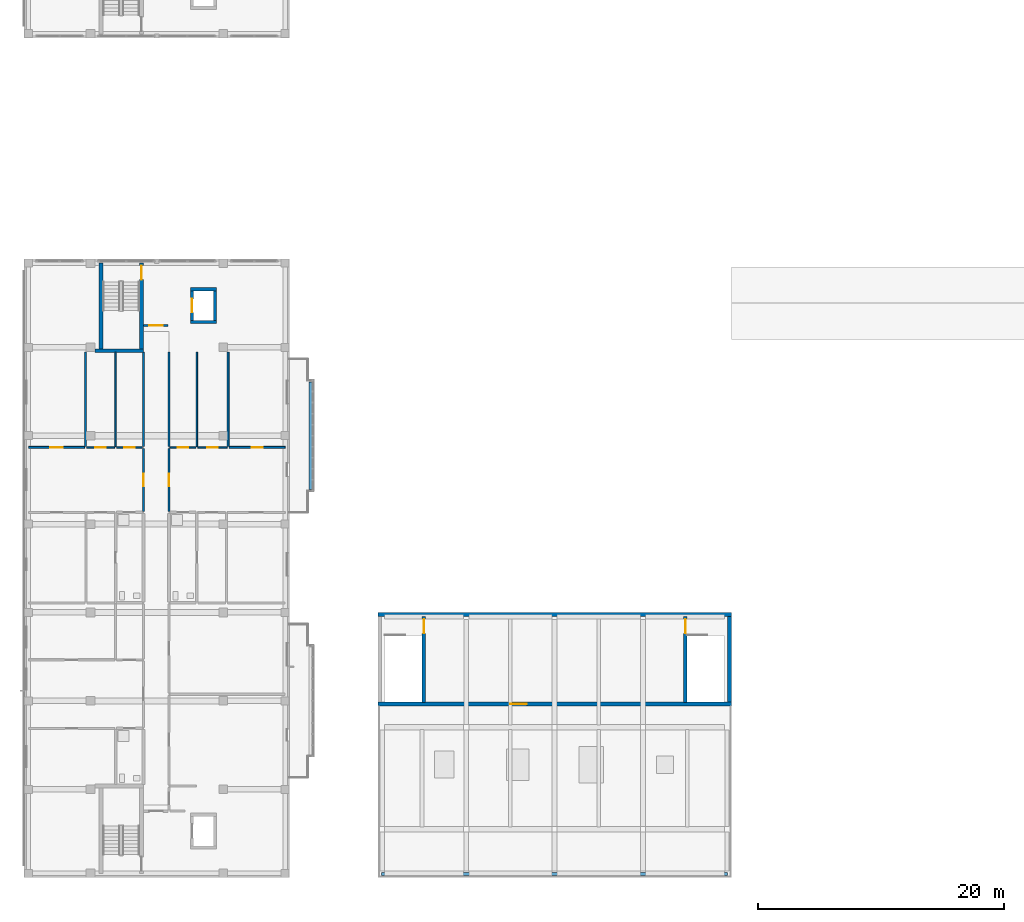
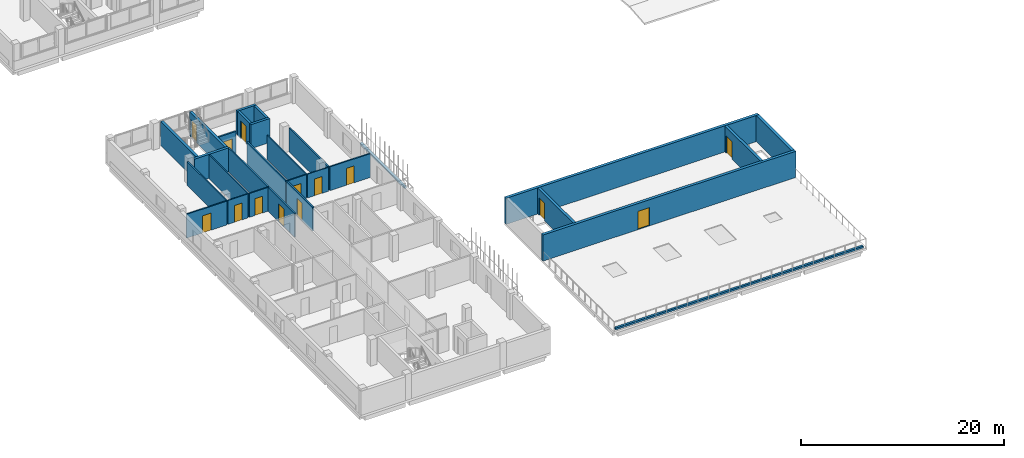
# One storey, part 27 of 56: 29 walls, 14 doors, 14 openings.
"""IFC4 building model written with IfcOpenShell, lengths in metres."""

from ifc_helpers import new_model, si_unit, derived_unit, direction, frame, frame_2d, origin, place, context, subcontext, project, spatial, rectangle, extrude, material, layer, layer_set, type_object, element, fill, save


model = new_model("IFC4")

# Units and contexts
model_context = context("Model", 3, precision=1e-05, world=origin(), true_north=direction((0.0, 1.0)))
body_context = subcontext(model_context, "Body", "Model", "MODEL_VIEW")
ifc_project = project(units=[si_unit("LENGTHUNIT", "METRE"), si_unit("AREAUNIT", "SQUARE_METRE"), si_unit("VOLUMEUNIT", "CUBIC_METRE"), si_unit("PLANEANGLEUNIT", "RADIAN"), si_unit("MASSUNIT", "GRAM", prefix="KILO"), derived_unit("THERMALTRANSMITTANCEUNIT", [(si_unit("MASSUNIT", "GRAM", prefix="KILO"), 1), (si_unit("TIMEUNIT", "SECOND"), -3), (si_unit("THERMODYNAMICTEMPERATUREUNIT", "KELVIN"), -1)])], contexts=[model_context])

# Site, building, storey
site_placement = place(None, origin())
site = spatial("IfcSite", under=ifc_project, at=site_placement, CompositionType="ELEMENT")
building_placement = place(site_placement, origin())
building = spatial("IfcBuilding", under=site, at=building_placement, Name="Ochrekiln Boulevard Commons", CompositionType="ELEMENT")
storey_placement = place(building_placement, frame((0.0, 0.0, 12.074951171875)))
storey = spatial("IfcBuildingStorey", under=building, at=storey_placement, Name="L03", CompositionType="ELEMENT", Elevation=12.074951171875)

# Wall, opening, door
ifc_material_1 = material(Name="Desert ochre clinker brick masonry ASTM C216 Grade SW", Category="masonry")
ifc_layer_1 = layer(ifc_material_1, 0.320068359375)
ifc_layer_set_1 = layer_set([ifc_layer_1], Name="Desert ochre clinker brick masonry ASTM C216 Grade SW")
wall_type_1 = type_object("IfcWallType", Name="WL-EXT-OCHRE-320", PredefinedType="SOLIDWALL", material=ifc_layer_set_1)
wall_1_placement = place(storey_placement, frame((28.800048828125, 14.159912109375, 0.0), z_axis=(0.0, 0.0, 1.0), x_axis=(1.0, 0.0, 0.0)))
wall_1 = element("IfcWall", 1, at=wall_1_placement, inside=storey, type_object=wall_type_1, Name="West Boulevard Arcade L03 Roof Pavilion S Exterior Wall", PredefinedType="SOLIDWALL", context=body_context, shape_type="SweptSolid", body=[
    extrude(rectangle(XDim=28.800048828125, YDim=0.320068359375, at=frame_2d((14.39990234375, 0.0))), origin(), (0.0, 0.0, 1.0), 3.150146484375),
])
opening_1_placement = place(wall_1_placement, frame((10.800048828125, 0.0, 0.0)))
opening_1 = element("IfcOpeningElement", 2, at=opening_1_placement, cuts=wall_1, Name="Opening D-L03-TRW", PredefinedType="OPENING", context=body_context, shape_type="SweptSolid", body=[
    extrude(rectangle(XDim=1.35009765625, YDim=2.199951171875, at=frame_2d((0.675048828125, 1.10009765625))), frame((0.0, 0.169921875, 0.0), z_axis=(0.0, -1.0, 0.0), x_axis=(1.0, 0.0, 0.0)), (0.0, 0.0, 1.0), 0.340087890625),
])
ifc_material_2 = material(Name="Bronze-anodized extruded aluminium 6063-T6", Category="aluminium")
door_type_1 = type_object("IfcDoorType", Name="DR-EXT-TERR-135", OperationType="NOTDEFINED", PredefinedType="DOOR", material=ifc_material_2)
door_1_placement = place(opening_1_placement, frame((1.35009765625, 0.0, 0.0), z_axis=(0.0, 0.0, 1.0), x_axis=(-1.0, 0.0, 0.0)))
door_1 = element("IfcDoor", 3, at=door_1_placement, inside=storey, type_object=door_type_1, Name="West Boulevard Arcade L03 Roof Terrace Access Door", OperationType="SINGLE_SWING_LEFT", OverallHeight=2.199951171875, OverallWidth=1.35009765625, PredefinedType="DOOR", context=body_context, shape_type="SweptSolid", body=[
    extrude(rectangle(XDim=1.35009765625, YDim=2.199951171875, at=frame_2d((0.675048828125, 1.10009765625))), frame((0.0, 0.02490234375, 0.0), z_axis=(0.0, -1.0, 0.0), x_axis=(1.0, 0.0, 0.0)), (0.0, 0.0, 1.0), 0.050048828125),
])
fill(opening_1, door_1)

# Walls
wall_2_placement = place(storey_placement, frame((28.800048828125, 21.43994140625, 0.0), z_axis=(0.0, 0.0, 1.0), x_axis=(1.0, 0.0, 0.0)))
element("IfcWall", 4, at=wall_2_placement, inside=storey, type_object=wall_type_1, Name="West Boulevard Arcade L03 Roof Pavilion N Exterior Wall", PredefinedType="SOLIDWALL", context=body_context, shape_type="SweptSolid", body=[
    extrude(rectangle(XDim=28.800048828125, YDim=0.320068359375, at=frame_2d((14.39990234375, 0.0))), origin(), (0.0, 0.0, 1.0), 3.150146484375),
])
wall_3_placement = place(storey_placement, frame((57.43994140625, 14.320068359375, 0.0), z_axis=(0.0, 0.0, 1.0), x_axis=(0.0, 1.0, 0.0)))
element("IfcWall", 5, at=wall_3_placement, inside=storey, type_object=wall_type_1, Name="West Boulevard Arcade L03 Roof Pavilion E Exterior Wall", PredefinedType="SOLIDWALL", context=body_context, shape_type="SweptSolid", body=[
    extrude(rectangle(XDim=6.9599609375, YDim=0.320068359375, at=frame_2d((3.47998046875, 0.0))), origin(), (0.0, 0.0, 1.0), 3.150146484375),
])
ifc_layer_2 = layer(ifc_material_1, 0.239990234375)
ifc_layer_set_2 = layer_set([ifc_layer_2], Name="Desert ochre clinker brick masonry ASTM C216 Grade SW")
wall_type_2 = type_object("IfcWallType", Name="WL-PAR-240", PredefinedType="PARAPET", material=ifc_layer_set_2)
wall_4_placement = place(storey_placement, frame((29.10009765625, 0.300048828125, 0.0), z_axis=(0.0, 0.0, 1.0), x_axis=(1.0, 0.0, 0.0)))
element("IfcWall", 6, at=wall_4_placement, inside=storey, type_object=wall_type_2, Name="West Boulevard Arcade L03 Terracotta Terrace Curb", PredefinedType="PARAPET", context=body_context, shape_type="SweptSolid", body=[
    extrude(rectangle(XDim=28.199951171875, YDim=0.239990234375, at=frame_2d((14.10009765625, 0.0))), origin(), (0.0, 0.0, 1.0), 0.219970703125),
])
ifc_material_3 = material(Name="Glazed architectural terracotta ASTM C1405", Category="masonry")
ifc_layer_3 = layer(ifc_material_3, 0.25)
ifc_layer_set_3 = layer_set([ifc_layer_3], Name="Glazed architectural terracotta ASTM C1405")
wall_type_3 = type_object("IfcWallType", Name="WL-PLN-250", PredefinedType="PARAPET", material=ifc_layer_set_3)
wall_5_placement = place(storey_placement, frame((23.320068359375, 31.610107421875, 0.0), z_axis=(0.0, 0.0, 1.0), x_axis=(0.0, 1.0, 0.0)))
element("IfcWall", 7, at=wall_5_placement, inside=storey, type_object=wall_type_3, Name="Block D L03 Balcony Terracotta Planter Box 2", PredefinedType="PARAPET", context=body_context, shape_type="SweptSolid", body=[
    extrude(rectangle(XDim=8.77978515625, YDim=0.25, at=frame_2d((4.389892578125, 0.0))), origin(), (0.0, 0.0, 1.0), 0.22998046875),
])

# Wall, opening, door
ifc_material_4 = material(Name="Fire-rated Type X gypsum board on steel studs", Category="steel")
ifc_layer_4 = layer(ifc_material_4, 0.1650390625)
ifc_layer_set_4 = layer_set([ifc_layer_4], Name="Fire-rated Type X gypsum board on steel studs")
wall_type_4 = type_object("IfcWallType", Name="WL-PT-CORR-165", PredefinedType="PARTITIONING", material=ifc_layer_set_4)
wall_6_placement = place(storey_placement, frame((9.7099609375, 29.830078125, 0.0), z_axis=(0.0, 0.0, 1.0), x_axis=(0.0, 1.0, 0.0)))
wall_6 = element("IfcWall", 8, at=wall_6_placement, inside=storey, type_object=wall_type_4, Name="L03 Interior Wall W-PC165", PredefinedType="PARTITIONING", context=body_context, shape_type="SweptSolid", body=[
    extrude(rectangle(XDim=5.139892578125, YDim=0.1650390625, at=frame_2d((2.56982421875, 0.0))), origin(), (0.0, 0.0, 1.0), 2.8701171875),
])
opening_2_placement = place(wall_6_placement, frame((2.06494140625, 0.0, 0.0)))
opening_2 = element("IfcOpeningElement", 9, at=opening_2_placement, cuts=wall_6, Name="Opening D-L03-533", PredefinedType="OPENING", context=body_context, shape_type="SweptSolid", body=[
    extrude(rectangle(XDim=1.010009765625, YDim=2.110107421875, at=frame_2d((0.5048828125, 1.05517578125))), frame((0.0, 0.092529296875, 0.0), z_axis=(0.0, -1.0, 0.0), x_axis=(1.0, 0.0, 0.0)), (0.0, 0.0, 1.0), 0.18505859375),
])
ifc_material_5 = material(Name="Solid core architectural oak door leaf")
door_type_2 = type_object("IfcDoorType", Name="DR-INT-APT-101", OperationType="NOTDEFINED", PredefinedType="DOOR", material=ifc_material_5)
door_2_placement = place(opening_2_placement, origin())
door_2 = element("IfcDoor", 10, at=door_2_placement, inside=storey, type_object=door_type_2, Name="L03 Interior Door to Two-Bedroom Apartment Living Room", OperationType="SINGLE_SWING_LEFT", OverallHeight=2.110107421875, OverallWidth=1.010009765625, PredefinedType="DOOR", context=body_context, shape_type="SweptSolid", body=[
    extrude(rectangle(XDim=1.010009765625, YDim=2.110107421875, at=frame_2d((0.5048828125, 1.05517578125))), frame((0.0, 0.02490234375, 0.0), z_axis=(0.0, -1.0, 0.0), x_axis=(1.0, 0.0, 0.0)), (0.0, 0.0, 1.0), 0.050048828125),
])
fill(opening_2, door_2)

# Wall
wall_7_placement = place(storey_placement, frame((9.7099609375, 35.1298828125, 0.0), z_axis=(0.0, 0.0, 1.0), x_axis=(0.0, 1.0, 0.0)))
element("IfcWall", 11, at=wall_7_placement, inside=storey, type_object=wall_type_4, Name="L03 Interior Wall W-PC165", PredefinedType="PARTITIONING", context=body_context, shape_type="SweptSolid", body=[
    extrude(rectangle(XDim=7.670166015625, YDim=0.1650390625, at=frame_2d((3.8349609375, 0.0))), origin(), (0.0, 0.0, 1.0), 2.8701171875),
])

# Wall, opening, door
wall_8_placement = place(storey_placement, frame((11.7900390625, 29.830078125, 0.0), z_axis=(0.0, 0.0, 1.0), x_axis=(0.0, 1.0, 0.0)))
wall_8 = element("IfcWall", 12, at=wall_8_placement, inside=storey, type_object=wall_type_4, Name="L03 Interior Wall W-PC165", PredefinedType="PARTITIONING", context=body_context, shape_type="SweptSolid", body=[
    extrude(rectangle(XDim=5.139892578125, YDim=0.1650390625, at=frame_2d((2.56982421875, 0.0))), origin(), (0.0, 0.0, 1.0), 2.8701171875),
])
opening_3_placement = place(wall_8_placement, frame((2.06494140625, 0.0, 0.0)))
opening_3 = element("IfcOpeningElement", 13, at=opening_3_placement, cuts=wall_8, Name="Opening D-L03-536", PredefinedType="OPENING", context=body_context, shape_type="SweptSolid", body=[
    extrude(rectangle(XDim=1.010009765625, YDim=2.110107421875, at=frame_2d((0.5048828125, 1.05517578125))), frame((0.0, 0.092529296875, 0.0), z_axis=(0.0, -1.0, 0.0), x_axis=(1.0, 0.0, 0.0)), (0.0, 0.0, 1.0), 0.18505859375),
])
door_3_placement = place(opening_3_placement, frame((1.010009765625, 0.0, 0.0), z_axis=(0.0, 0.0, 1.0), x_axis=(-1.0, 0.0, 0.0)))
door_3 = element("IfcDoor", 14, at=door_3_placement, inside=storey, type_object=door_type_2, Name="L03 Interior Door to Two-Bedroom Apartment Living Room", OperationType="SINGLE_SWING_RIGHT", OverallHeight=2.110107421875, OverallWidth=1.010009765625, PredefinedType="DOOR", context=body_context, shape_type="SweptSolid", body=[
    extrude(rectangle(XDim=1.010009765625, YDim=2.110107421875, at=frame_2d((0.5048828125, 1.05517578125))), frame((0.0, 0.02490234375, 0.0), z_axis=(0.0, -1.0, 0.0), x_axis=(1.0, 0.0, 0.0)), (0.0, 0.0, 1.0), 0.050048828125),
])
fill(opening_3, door_3)

# Wall
wall_9_placement = place(storey_placement, frame((11.7900390625, 35.1298828125, 0.0), z_axis=(0.0, 0.0, 1.0), x_axis=(0.0, 1.0, 0.0)))
element("IfcWall", 15, at=wall_9_placement, inside=storey, type_object=wall_type_4, Name="L03 Interior Wall W-PC165", PredefinedType="PARTITIONING", context=body_context, shape_type="SweptSolid", body=[
    extrude(rectangle(XDim=7.670166015625, YDim=0.1650390625, at=frame_2d((3.8349609375, 0.0))), origin(), (0.0, 0.0, 1.0), 2.8701171875),
])

# Wall, opening, door
ifc_layer_5 = layer(ifc_material_4, 0.18994140625)
ifc_layer_set_5 = layer_set([ifc_layer_5], Name="Fire-rated Type X gypsum board on steel studs")
wall_type_5 = type_object("IfcWallType", Name="WL-PT-LBY-190", PredefinedType="PARTITIONING", material=ifc_layer_set_5)
wall_10_placement = place(storey_placement, frame((9.699951171875, 44.97998046875, 0.0), z_axis=(0.0, 0.0, 1.0), x_axis=(1.0, 0.0, 0.0)))
wall_10 = element("IfcWall", 16, at=wall_10_placement, inside=storey, type_object=wall_type_5, Name="L03 Interior Wall W-PL190", PredefinedType="PARTITIONING", context=body_context, shape_type="SweptSolid", body=[
    extrude(rectangle(XDim=2.0, YDim=0.18994140625, at=frame_2d((1.0, 0.0))), origin(), (0.0, 0.0, 1.0), 2.8701171875),
])
opening_4_placement = place(wall_10_placement, frame((0.5, 0.0, 0.0)))
opening_4 = element("IfcOpeningElement", 17, at=opening_4_placement, cuts=wall_10, Name="Opening D-L03-530", PredefinedType="OPENING", context=body_context, shape_type="SweptSolid", body=[
    extrude(rectangle(XDim=1.10009765625, YDim=2.1201171875, at=frame_2d((0.550048828125, 1.06005859375))), frame((0.0, 0.10498046875, 0.0), z_axis=(0.0, -1.0, 0.0), x_axis=(1.0, 0.0, 0.0)), (0.0, 0.0, 1.0), 0.2099609375),
])
ifc_material_6 = material(Name="Hollow metal fire-rated steel door assembly", Category="steel")
door_type_3 = type_object("IfcDoorType", Name="DR-LOBBY-60", OperationType="NOTDEFINED", PredefinedType="DOOR", material=ifc_material_6)
door_4_placement = place(opening_4_placement, origin())
door_4 = element("IfcDoor", 18, at=door_4_placement, inside=storey, type_object=door_type_3, Name="L03 Interior Door to Passenger Elevator Lobby", OperationType="SINGLE_SWING_RIGHT", OverallHeight=2.1201171875, OverallWidth=1.10009765625, PredefinedType="DOOR", context=body_context, shape_type="SweptSolid", body=[
    extrude(rectangle(XDim=1.10009765625, YDim=2.1201171875, at=frame_2d((0.550048828125, 1.06005859375))), frame((0.0, 0.02490234375, 0.0), z_axis=(0.0, -1.0, 0.0), x_axis=(1.0, 0.0, 0.0)), (0.0, 0.0, 1.0), 0.050048828125),
])
fill(opening_4, door_4)

ifc_layer_6 = layer(ifc_material_4, 0.1201171875)
ifc_layer_set_6 = layer_set([ifc_layer_6], Name="Fire-rated Type X gypsum board on steel studs")
wall_type_6 = type_object("IfcWallType", Name="WL-PT-LGT-120", PredefinedType="PARTITIONING", material=ifc_layer_set_6)
wall_11_placement = place(storey_placement, frame((7.52001953125, 35.050048828125, 0.0), z_axis=(0.0, 0.0, 1.0), x_axis=(1.0, 0.0, 0.0)))
wall_11 = element("IfcWall", 19, at=wall_11_placement, inside=storey, type_object=wall_type_6, Name="L03 Interior Wall W-PL120", PredefinedType="PARTITIONING", context=body_context, shape_type="SweptSolid", body=[
    extrude(rectangle(XDim=2.10791015625, YDim=0.1201171875, at=frame_2d((1.053955078125, 0.0))), origin(), (0.0, 0.0, 1.0), 2.8701171875),
])
opening_5_placement = place(wall_11_placement, frame((0.610107421875, 0.0, 0.0)))
opening_5 = element("IfcOpeningElement", 20, at=opening_5_placement, cuts=wall_11, Name="Opening D-L03-542", PredefinedType="OPENING", context=body_context, shape_type="SweptSolid", body=[
    extrude(rectangle(XDim=0.8798828125, YDim=2.02001953125, at=frame_2d((0.43994140625, 1.010009765625))), frame((0.0, 0.070068359375, 0.0), z_axis=(0.0, -1.0, 0.0), x_axis=(1.0, 0.0, 0.0)), (0.0, 0.0, 1.0), 0.14013671875),
])
door_type_4 = type_object("IfcDoorType", Name="DR-INT-KIT-088", OperationType="NOTDEFINED", PredefinedType="DOOR", material=ifc_material_5)
door_5_placement = place(opening_5_placement, origin())
door_5 = element("IfcDoor", 21, at=door_5_placement, inside=storey, type_object=door_type_4, Name="L03 Interior Door to Apartment Kitchen", OperationType="SINGLE_SWING_RIGHT", OverallHeight=2.02001953125, OverallWidth=0.8798828125, PredefinedType="DOOR", context=body_context, shape_type="SweptSolid", body=[
    extrude(rectangle(XDim=0.8798828125, YDim=2.02001953125, at=frame_2d((0.43994140625, 1.010009765625))), frame((0.0, 0.02490234375, 0.0), z_axis=(0.0, -1.0, 0.0), x_axis=(1.0, 0.0, 0.0)), (0.0, 0.0, 1.0), 0.050048828125),
])
fill(opening_5, door_5)

wall_12_placement = place(storey_placement, frame((5.072998046875, 35.050048828125, 0.0), z_axis=(0.0, 0.0, 1.0), x_axis=(1.0, 0.0, 0.0)))
wall_12 = element("IfcWall", 22, at=wall_12_placement, inside=storey, type_object=wall_type_6, Name="L03 Interior Wall W-PL120", PredefinedType="PARTITIONING", context=body_context, shape_type="SweptSolid", body=[
    extrude(rectangle(XDim=2.287109375, YDim=0.1201171875, at=frame_2d((1.1435546875, 0.0))), origin(), (0.0, 0.0, 1.0), 2.8701171875),
])
opening_6_placement = place(wall_12_placement, frame((0.702880859375, 0.0, 0.0)))
opening_6 = element("IfcOpeningElement", 23, at=opening_6_placement, cuts=wall_12, Name="Opening D-L03-546", PredefinedType="OPENING", context=body_context, shape_type="SweptSolid", body=[
    extrude(rectangle(XDim=0.8798828125, YDim=2.02001953125, at=frame_2d((0.43994140625, 1.010009765625))), frame((0.0, 0.070068359375, 0.0), z_axis=(0.0, -1.0, 0.0), x_axis=(1.0, 0.0, 0.0)), (0.0, 0.0, 1.0), 0.14013671875),
])
door_6_placement = place(opening_6_placement, origin())
door_6 = element("IfcDoor", 24, at=door_6_placement, inside=storey, type_object=door_type_4, Name="L03 Interior Door to Apartment Walk-In Wardrobe", OperationType="SINGLE_SWING_RIGHT", OverallHeight=2.02001953125, OverallWidth=0.8798828125, PredefinedType="DOOR", context=body_context, shape_type="SweptSolid", body=[
    extrude(rectangle(XDim=0.8798828125, YDim=2.02001953125, at=frame_2d((0.43994140625, 1.010009765625))), frame((0.0, 0.02490234375, 0.0), z_axis=(0.0, -1.0, 0.0), x_axis=(1.0, 0.0, 0.0)), (0.0, 0.0, 1.0), 0.050048828125),
])
fill(opening_6, door_6)

# Wall
wall_13_placement = place(storey_placement, frame((7.43994140625, 35.110107421875, 0.0), z_axis=(0.0, 0.0, 1.0), x_axis=(0.0, 1.0, 0.0)))
element("IfcWall", 25, at=wall_13_placement, inside=storey, type_object=wall_type_6, Name="L03 Interior Wall W-PL120", PredefinedType="PARTITIONING", context=body_context, shape_type="SweptSolid", body=[
    extrude(rectangle(XDim=7.68994140625, YDim=0.1201171875, at=frame_2d((3.844970703125, 0.0))), origin(), (0.0, 0.0, 1.0), 2.8701171875),
])

# Wall, opening, door
wall_14_placement = place(storey_placement, frame((11.8720703125, 35.050048828125, 0.0), z_axis=(0.0, 0.0, 1.0), x_axis=(1.0, 0.0, 0.0)))
wall_14 = element("IfcWall", 26, at=wall_14_placement, inside=storey, type_object=wall_type_6, Name="L03 Interior Wall W-PL120", PredefinedType="PARTITIONING", context=body_context, shape_type="SweptSolid", body=[
    extrude(rectangle(XDim=2.10791015625, YDim=0.1201171875, at=frame_2d((1.053955078125, 0.0))), origin(), (0.0, 0.0, 1.0), 2.8701171875),
])
opening_7_placement = place(wall_14_placement, frame((0.617919921875, 0.0, 0.0)))
opening_7 = element("IfcOpeningElement", 27, at=opening_7_placement, cuts=wall_14, Name="Opening D-L03-549", PredefinedType="OPENING", context=body_context, shape_type="SweptSolid", body=[
    extrude(rectangle(XDim=0.8798828125, YDim=2.02001953125, at=frame_2d((0.43994140625, 1.010009765625))), frame((0.0, 0.070068359375, 0.0), z_axis=(0.0, -1.0, 0.0), x_axis=(1.0, 0.0, 0.0)), (0.0, 0.0, 1.0), 0.14013671875),
])
door_7_placement = place(opening_7_placement, origin())
door_7 = element("IfcDoor", 28, at=door_7_placement, inside=storey, type_object=door_type_4, Name="L03 Interior Door to Apartment Kitchen", OperationType="SINGLE_SWING_LEFT", OverallHeight=2.02001953125, OverallWidth=0.8798828125, PredefinedType="DOOR", context=body_context, shape_type="SweptSolid", body=[
    extrude(rectangle(XDim=0.8798828125, YDim=2.02001953125, at=frame_2d((0.43994140625, 1.010009765625))), frame((0.0, 0.02490234375, 0.0), z_axis=(0.0, -1.0, 0.0), x_axis=(1.0, 0.0, 0.0)), (0.0, 0.0, 1.0), 0.050048828125),
])
fill(opening_7, door_7)

wall_15_placement = place(storey_placement, frame((14.139892578125, 35.050048828125, 0.0), z_axis=(0.0, 0.0, 1.0), x_axis=(1.0, 0.0, 0.0)))
wall_15 = element("IfcWall", 29, at=wall_15_placement, inside=storey, type_object=wall_type_6, Name="L03 Interior Wall W-PL120", PredefinedType="PARTITIONING", context=body_context, shape_type="SweptSolid", body=[
    extrude(rectangle(XDim=2.38720703125, YDim=0.1201171875, at=frame_2d((1.193603515625, 0.0))), origin(), (0.0, 0.0, 1.0), 2.8701171875),
])
opening_8_placement = place(wall_15_placement, frame((0.75390625, 0.0, 0.0)))
opening_8 = element("IfcOpeningElement", 30, at=opening_8_placement, cuts=wall_15, Name="Opening D-L03-553", PredefinedType="OPENING", context=body_context, shape_type="SweptSolid", body=[
    extrude(rectangle(XDim=0.8798828125, YDim=2.02001953125, at=frame_2d((0.43994140625, 1.010009765625))), frame((0.0, 0.070068359375, 0.0), z_axis=(0.0, -1.0, 0.0), x_axis=(1.0, 0.0, 0.0)), (0.0, 0.0, 1.0), 0.14013671875),
])
door_8_placement = place(opening_8_placement, origin())
door_8 = element("IfcDoor", 31, at=door_8_placement, inside=storey, type_object=door_type_4, Name="L03 Interior Door to Apartment Walk-In Wardrobe", OperationType="SINGLE_SWING_LEFT", OverallHeight=2.02001953125, OverallWidth=0.8798828125, PredefinedType="DOOR", context=body_context, shape_type="SweptSolid", body=[
    extrude(rectangle(XDim=0.8798828125, YDim=2.02001953125, at=frame_2d((0.43994140625, 1.010009765625))), frame((0.0, 0.02490234375, 0.0), z_axis=(0.0, -1.0, 0.0), x_axis=(1.0, 0.0, 0.0)), (0.0, 0.0, 1.0), 0.050048828125),
])
fill(opening_8, door_8)

# Wall
wall_16_placement = place(storey_placement, frame((14.06005859375, 35.110107421875, 0.0), z_axis=(0.0, 0.0, 1.0), x_axis=(0.0, 1.0, 0.0)))
element("IfcWall", 32, at=wall_16_placement, inside=storey, type_object=wall_type_6, Name="L03 Interior Wall W-PL120", PredefinedType="PARTITIONING", context=body_context, shape_type="SweptSolid", body=[
    extrude(rectangle(XDim=7.68994140625, YDim=0.1201171875, at=frame_2d((3.844970703125, 0.0))), origin(), (0.0, 0.0, 1.0), 2.8701171875),
])

# Wall, opening, door
ifc_layer_7 = layer(ifc_material_4, 0.14990234375)
ifc_layer_set_7 = layer_set([ifc_layer_7], Name="Fire-rated Type X gypsum board on steel studs")
wall_type_7 = type_object("IfcWallType", Name="WL-PT-STD-150", PredefinedType="PARTITIONING", material=ifc_layer_set_7)
wall_17_placement = place(storey_placement, frame((0.35009765625, 35.050048828125, 0.0), z_axis=(0.0, 0.0, 1.0), x_axis=(1.0, 0.0, 0.0)))
wall_17 = element("IfcWall", 33, at=wall_17_placement, inside=storey, type_object=wall_type_7, Name="L03 Interior Wall W-PS150", PredefinedType="PARTITIONING", context=body_context, shape_type="SweptSolid", body=[
    extrude(rectangle(XDim=4.56298828125, YDim=0.14990234375, at=frame_2d((2.281494140625, 0.0))), origin(), (0.0, 0.0, 1.0), 2.8701171875),
])
opening_9_placement = place(wall_17_placement, frame((1.781005859375, 0.0, 0.0)))
opening_9 = element("IfcOpeningElement", 34, at=opening_9_placement, cuts=wall_17, Name="Opening D-L03-545", PredefinedType="OPENING", context=body_context, shape_type="SweptSolid", body=[
    extrude(rectangle(XDim=1.0, YDim=2.06005859375, at=frame_2d((0.5, 1.030029296875))), frame((0.0, 0.0849609375, 0.0), z_axis=(0.0, -1.0, 0.0), x_axis=(1.0, 0.0, 0.0)), (0.0, 0.0, 1.0), 0.169921875),
])
door_type_5 = type_object("IfcDoorType", Name="DR-INT-BED-100", OperationType="NOTDEFINED", PredefinedType="DOOR", material=ifc_material_5)
door_9_placement = place(opening_9_placement, origin())
door_9 = element("IfcDoor", 35, at=door_9_placement, inside=storey, type_object=door_type_5, Name="L03 Interior Door to Secondary Apartment Bedroom", OperationType="SINGLE_SWING_LEFT", OverallHeight=2.06005859375, OverallWidth=1.0, PredefinedType="DOOR", context=body_context, shape_type="SweptSolid", body=[
    extrude(rectangle(XDim=1.0, YDim=2.06005859375, at=frame_2d((0.5, 1.030029296875))), frame((0.0, 0.02490234375, 0.0), z_axis=(0.0, -1.0, 0.0), x_axis=(1.0, 0.0, 0.0)), (0.0, 0.0, 1.0), 0.050048828125),
])
fill(opening_9, door_9)

# Wall
wall_18_placement = place(storey_placement, frame((4.992919921875, 35.125, 0.0), z_axis=(0.0, 0.0, 1.0), x_axis=(0.0, 1.0, 0.0)))
element("IfcWall", 36, at=wall_18_placement, inside=storey, type_object=wall_type_7, Name="L03 Interior Wall W-PS150", PredefinedType="PARTITIONING", context=body_context, shape_type="SweptSolid", body=[
    extrude(rectangle(XDim=7.675048828125, YDim=0.14990234375, at=frame_2d((3.83740234375, 0.0))), origin(), (0.0, 0.0, 1.0), 2.8701171875),
])

# Wall, opening, door
wall_19_placement = place(storey_placement, frame((16.68701171875, 35.050048828125, 0.0), z_axis=(0.0, 0.0, 1.0), x_axis=(1.0, 0.0, 0.0)))
wall_19 = element("IfcWall", 37, at=wall_19_placement, inside=storey, type_object=wall_type_7, Name="L03 Interior Wall W-PS150", PredefinedType="PARTITIONING", context=body_context, shape_type="SweptSolid", body=[
    extrude(rectangle(XDim=4.56298828125, YDim=0.14990234375, at=frame_2d((2.281494140625, 0.0))), origin(), (0.0, 0.0, 1.0), 2.8701171875),
])
opening_10_placement = place(wall_19_placement, frame((1.8310546875, 0.0, 0.0)))
opening_10 = element("IfcOpeningElement", 38, at=opening_10_placement, cuts=wall_19, Name="Opening D-L03-552", PredefinedType="OPENING", context=body_context, shape_type="SweptSolid", body=[
    extrude(rectangle(XDim=0.89990234375, YDim=2.0400390625, at=frame_2d((0.449951171875, 1.02001953125))), frame((0.0, 0.0849609375, 0.0), z_axis=(0.0, -1.0, 0.0), x_axis=(1.0, 0.0, 0.0)), (0.0, 0.0, 1.0), 0.169921875),
])
door_type_6 = type_object("IfcDoorType", Name="DR-INT-BED-090", OperationType="NOTDEFINED", PredefinedType="DOOR", material=ifc_material_5)
door_10_placement = place(opening_10_placement, origin())
door_10 = element("IfcDoor", 39, at=door_10_placement, inside=storey, type_object=door_type_6, Name="L03 Interior Door to Secondary Apartment Bedroom", OperationType="SINGLE_SWING_RIGHT", OverallHeight=2.0400390625, OverallWidth=0.89990234375, PredefinedType="DOOR", context=body_context, shape_type="SweptSolid", body=[
    extrude(rectangle(XDim=0.89990234375, YDim=2.0400390625, at=frame_2d((0.449951171875, 1.02001953125))), frame((0.0, 0.02490234375, 0.0), z_axis=(0.0, -1.0, 0.0), x_axis=(1.0, 0.0, 0.0)), (0.0, 0.0, 1.0), 0.050048828125),
])
fill(opening_10, door_10)

# Walls
wall_20_placement = place(storey_placement, frame((16.60693359375, 35.125, 0.0), z_axis=(0.0, 0.0, 1.0), x_axis=(0.0, 1.0, 0.0)))
element("IfcWall", 40, at=wall_20_placement, inside=storey, type_object=wall_type_7, Name="L03 Interior Wall W-PS150", PredefinedType="PARTITIONING", context=body_context, shape_type="SweptSolid", body=[
    extrude(rectangle(XDim=7.675048828125, YDim=0.14990234375, at=frame_2d((3.83740234375, 0.0))), origin(), (0.0, 0.0, 1.0), 2.8701171875),
])
ifc_material_7 = material(Name="Concrete C40/50", Category="concrete")
ifc_layer_8 = layer(ifc_material_7, 0.27490234375)
ifc_layer_set_8 = layer_set([ifc_layer_8], Name="Concrete C40/50")
wall_type_8 = type_object("IfcWallType", Name="WL-SH-275", PredefinedType="SHEAR", material=ifc_layer_set_8)
for number, where, z_axis, x_axis, name in (
    (41, (13.52490234375, 45.262451171875, 0.0), (0.0, 0.0, 1.0), (1.0, 0.0, 0.0), "Elevator LP-D2 L03 Hoistway Shear Wall"),
    (42, (13.52490234375, 47.9375, 0.0), (0.0, 0.0, 1.0), (1.0, 0.0, 0.0), "Elevator LP-D2 L03 Hoistway Shear Wall"),
):
    element("IfcWall", number, at=place(storey_placement, frame(where, z_axis=z_axis, x_axis=x_axis)), inside=storey, type_object=wall_type_8, Name=name, PredefinedType="SHEAR", context=body_context, shape_type="SweptSolid", body=[
        extrude(rectangle(XDim=2.150146484375, YDim=0.27490234375, at=frame_2d((1.0751953125, 0.0))), origin(), (0.0, 0.0, 1.0), 2.89013671875),
    ])

# Wall, opening, door
wall_21_placement = place(storey_placement, frame((13.66259765625, 45.39990234375, 0.0), z_axis=(0.0, 0.0, 1.0), x_axis=(0.0, 1.0, 0.0)))
wall_21 = element("IfcWall", 43, at=wall_21_placement, inside=storey, type_object=wall_type_8, Name="Elevator LP-D2 L03 Hoistway Shear Wall", PredefinedType="SHEAR", context=body_context, shape_type="SweptSolid", body=[
    extrude(rectangle(XDim=2.400146484375, YDim=0.27490234375, at=frame_2d((1.2001953125, 0.0))), origin(), (0.0, 0.0, 1.0), 2.89013671875),
])
opening_11_placement = place(wall_21_placement, frame((0.64990234375, 0.0, 0.0)))
opening_11 = element("IfcOpeningElement", 44, at=opening_11_placement, cuts=wall_21, Name="Opening LD-LP-D2-L03", PredefinedType="OPENING", context=body_context, shape_type="SweptSolid", body=[
    extrude(rectangle(XDim=1.10009765625, YDim=2.14990234375, at=frame_2d((0.550048828125, 1.074951171875))), frame((0.0, 0.1474609375, 0.0), z_axis=(0.0, -1.0, 0.0), x_axis=(1.0, 0.0, 0.0)), (0.0, 0.0, 1.0), 0.294921875),
])
ifc_material_8 = material(Name="Brushed stainless steel 316 elevator cab and doors", Category="steel")
door_type_7 = type_object("IfcDoorType", Name="DR-LIFT-LD90", OperationType="SLIDING_TO_LEFT", PredefinedType="DOOR", material=ifc_material_8)
door_11_placement = place(opening_11_placement, origin())
door_11 = element("IfcDoor", 45, at=door_11_placement, inside=storey, type_object=door_type_7, Name="Elevator LP-D2 L03 Sliding Landing Door LD-LP-D2-L03", OperationType="SLIDING_TO_LEFT", OverallHeight=2.14990234375, OverallWidth=1.10009765625, PredefinedType="DOOR", context=body_context, shape_type="SweptSolid", body=[
    extrude(rectangle(XDim=1.10009765625, YDim=2.14990234375, at=frame_2d((0.550048828125, 1.074951171875))), frame((0.0, 0.02490234375, 0.0), z_axis=(0.0, -1.0, 0.0), x_axis=(1.0, 0.0, 0.0)), (0.0, 0.0, 1.0), 0.050048828125),
])
fill(opening_11, door_11)

# Walls
wall_22_placement = place(storey_placement, frame((15.53759765625, 45.39990234375, 0.0), z_axis=(0.0, 0.0, 1.0), x_axis=(0.0, 1.0, 0.0)))
element("IfcWall", 46, at=wall_22_placement, inside=storey, type_object=wall_type_8, Name="Elevator LP-D2 L03 Hoistway Shear Wall", PredefinedType="SHEAR", context=body_context, shape_type="SweptSolid", body=[
    extrude(rectangle(XDim=2.400146484375, YDim=0.27490234375, at=frame_2d((1.2001953125, 0.0))), origin(), (0.0, 0.0, 1.0), 2.89013671875),
])
ifc_layer_9 = layer(ifc_material_7, 0.300048828125)
ifc_layer_set_9 = layer_set([ifc_layer_9], Name="Concrete C40/50")
wall_type_9 = type_object("IfcWallType", Name="WL-SH-300", PredefinedType="SHEAR", material=ifc_layer_set_9)
wall_23_placement = place(storey_placement, frame((5.75, 42.929931640625, 0.0), z_axis=(0.0, 0.0, 1.0), x_axis=(1.0, 0.0, 0.0)))
element("IfcWall", 47, at=wall_23_placement, inside=storey, type_object=wall_type_9, Name="Stair ST-D2 L03 Core Shear Wall S", PredefinedType="SHEAR", context=body_context, shape_type="SweptSolid", body=[
    extrude(rectangle(XDim=3.949951171875, YDim=0.300048828125, at=frame_2d((1.97509765625, 0.0))), origin(), (0.0, 0.0, 1.0), 2.89013671875),
])
wall_24_placement = place(storey_placement, frame((6.25, 43.080078125, 0.0), z_axis=(0.0, 0.0, 1.0), x_axis=(0.0, 1.0, 0.0)))
element("IfcWall", 48, at=wall_24_placement, inside=storey, type_object=wall_type_9, Name="Stair ST-D2 L03 Core Shear Wall W", PredefinedType="SHEAR", context=body_context, shape_type="SweptSolid", body=[
    extrude(rectangle(XDim=7.0, YDim=0.300048828125, at=frame_2d((3.5, 0.0))), origin(), (0.0, 0.0, 1.0), 2.89013671875),
])

# Wall, opening, door
wall_25_placement = place(storey_placement, frame((9.550048828125, 43.080078125, 0.0), z_axis=(0.0, 0.0, 1.0), x_axis=(0.0, 1.0, 0.0)))
wall_25 = element("IfcWall", 49, at=wall_25_placement, inside=storey, type_object=wall_type_9, Name="Stair ST-D2 L03 Core Shear Wall E", PredefinedType="SHEAR", context=body_context, shape_type="SweptSolid", body=[
    extrude(rectangle(XDim=7.0, YDim=0.300048828125, at=frame_2d((3.5, 0.0))), origin(), (0.0, 0.0, 1.0), 2.89013671875),
])
opening_12_placement = place(wall_25_placement, frame((5.625, 0.0, 0.0)))
opening_12 = element("IfcOpeningElement", 50, at=opening_12_placement, cuts=wall_25, Name="Opening D-L03-ST-D2", PredefinedType="OPENING", context=body_context, shape_type="SweptSolid", body=[
    extrude(rectangle(XDim=1.14990234375, YDim=2.1201171875, at=frame_2d((0.574951171875, 1.06005859375))), frame((0.0, 0.159912109375, 0.0), z_axis=(0.0, -1.0, 0.0), x_axis=(1.0, 0.0, 0.0)), (0.0, 0.0, 1.0), 0.320068359375),
])
door_type_8 = type_object("IfcDoorType", Name="DR-STAIR-90", OperationType="NOTDEFINED", PredefinedType="DOOR", material=ifc_material_6)
door_12_placement = place(opening_12_placement, origin())
door_12 = element("IfcDoor", 51, at=door_12_placement, inside=storey, type_object=door_type_8, Name="Enclosed Exit Stair ST-D2 L03 Rated Door", OperationType="SINGLE_SWING_LEFT", OverallHeight=2.1201171875, OverallWidth=1.14990234375, PredefinedType="DOOR", context=body_context, shape_type="SweptSolid", body=[
    extrude(rectangle(XDim=1.14990234375, YDim=2.1201171875, at=frame_2d((0.574951171875, 1.06005859375))), frame((0.0, 0.02490234375, 0.0), z_axis=(0.0, -1.0, 0.0), x_axis=(1.0, 0.0, 0.0)), (0.0, 0.0, 1.0), 0.050048828125),
])
fill(opening_12, door_12)

wall_26_placement = place(storey_placement, frame((32.550048828125, 14.280029296875, 0.0), z_axis=(0.0, 0.0, 1.0), x_axis=(0.0, 1.0, 0.0)))
wall_26 = element("IfcWall", 52, at=wall_26_placement, inside=storey, type_object=wall_type_9, Name="Stair ST-W1 L03 Core Shear Wall E", PredefinedType="SHEAR", context=body_context, shape_type="SweptSolid", body=[
    extrude(rectangle(XDim=7.0, YDim=0.300048828125, at=frame_2d((3.5, 0.0))), origin(), (0.0, 0.0, 1.0), 3.150146484375),
])
opening_13_placement = place(wall_26_placement, frame((5.625, 0.0, 0.0)))
opening_13 = element("IfcOpeningElement", 53, at=opening_13_placement, cuts=wall_26, Name="Opening D-L03-ST-W1", PredefinedType="OPENING", context=body_context, shape_type="SweptSolid", body=[
    extrude(rectangle(XDim=1.14990234375, YDim=2.1201171875, at=frame_2d((0.574951171875, 1.06005859375))), frame((0.0, 0.159912109375, 0.0), z_axis=(0.0, -1.0, 0.0), x_axis=(1.0, 0.0, 0.0)), (0.0, 0.0, 1.0), 0.320068359375),
])
door_13_placement = place(opening_13_placement, origin())
door_13 = element("IfcDoor", 54, at=door_13_placement, inside=storey, type_object=door_type_8, Name="Enclosed Exit Stair ST-W1 L03 Rated Door", OperationType="SINGLE_SWING_RIGHT", OverallHeight=2.1201171875, OverallWidth=1.14990234375, PredefinedType="DOOR", context=body_context, shape_type="SweptSolid", body=[
    extrude(rectangle(XDim=1.14990234375, YDim=2.1201171875, at=frame_2d((0.574951171875, 1.06005859375))), frame((0.0, 0.02490234375, 0.0), z_axis=(0.0, -1.0, 0.0), x_axis=(1.0, 0.0, 0.0)), (0.0, 0.0, 1.0), 0.050048828125),
])
fill(opening_13, door_13)

wall_27_placement = place(storey_placement, frame((53.85009765625, 14.280029296875, 0.0), z_axis=(0.0, 0.0, 1.0), x_axis=(0.0, 1.0, 0.0)))
wall_27 = element("IfcWall", 55, at=wall_27_placement, inside=storey, type_object=wall_type_9, Name="Stair ST-W2 L03 Core Shear Wall W", PredefinedType="SHEAR", context=body_context, shape_type="SweptSolid", body=[
    extrude(rectangle(XDim=7.0, YDim=0.300048828125, at=frame_2d((3.5, 0.0))), origin(), (0.0, 0.0, 1.0), 3.150146484375),
])
opening_14_placement = place(wall_27_placement, frame((5.625, 0.0, 0.0)))
opening_14 = element("IfcOpeningElement", 56, at=opening_14_placement, cuts=wall_27, Name="Opening D-L03-ST-W2", PredefinedType="OPENING", context=body_context, shape_type="SweptSolid", body=[
    extrude(rectangle(XDim=1.14990234375, YDim=2.1201171875, at=frame_2d((0.574951171875, 1.06005859375))), frame((0.0, 0.159912109375, 0.0), z_axis=(0.0, -1.0, 0.0), x_axis=(1.0, 0.0, 0.0)), (0.0, 0.0, 1.0), 0.320068359375),
])
door_14_placement = place(opening_14_placement, frame((1.14990234375, 0.0, 0.0), z_axis=(0.0, 0.0, 1.0), x_axis=(-1.0, 0.0, 0.0)))
door_14 = element("IfcDoor", 57, at=door_14_placement, inside=storey, type_object=door_type_8, Name="Enclosed Exit Stair ST-W2 L03 Rated Door", OperationType="SINGLE_SWING_RIGHT", OverallHeight=2.1201171875, OverallWidth=1.14990234375, PredefinedType="DOOR", context=body_context, shape_type="SweptSolid", body=[
    extrude(rectangle(XDim=1.14990234375, YDim=2.1201171875, at=frame_2d((0.574951171875, 1.06005859375))), frame((0.0, 0.02490234375, 0.0), z_axis=(0.0, -1.0, 0.0), x_axis=(1.0, 0.0, 0.0)), (0.0, 0.0, 1.0), 0.050048828125),
])
fill(opening_14, door_14)

save(model, "model.ifc")
